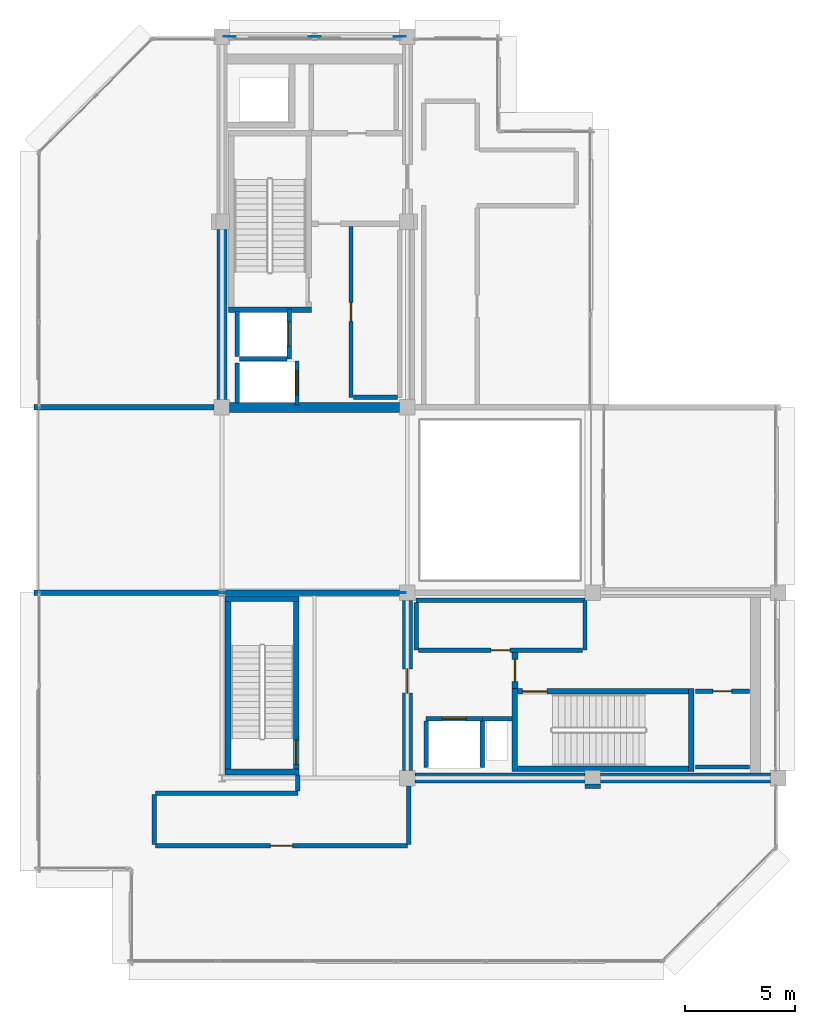
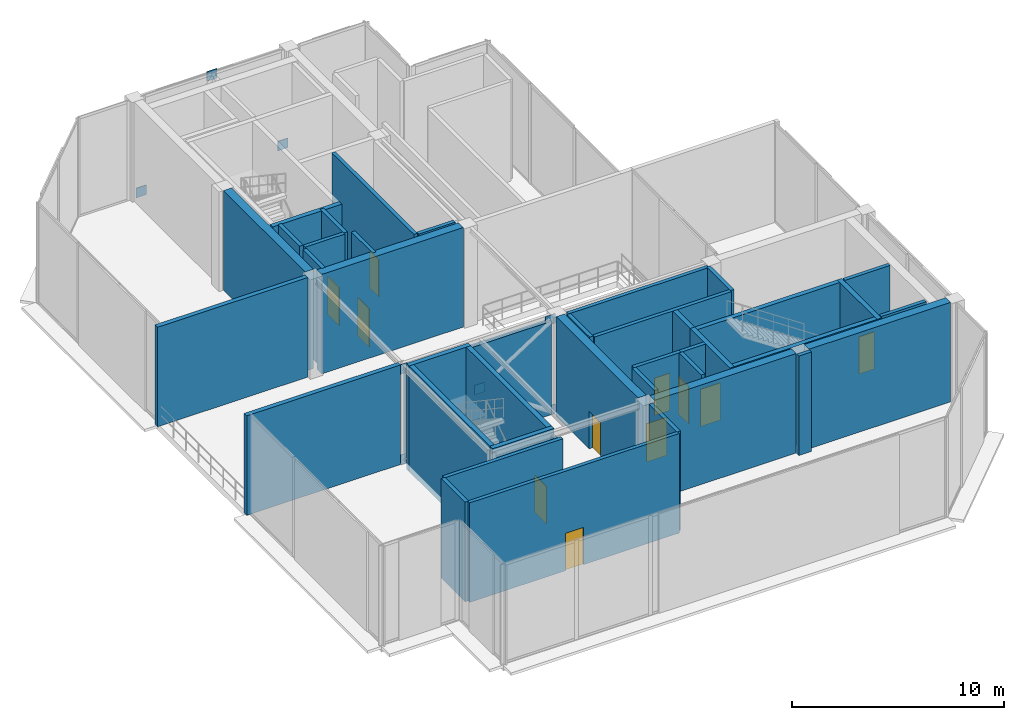
# One storey, part 15 of 19: 41 walls, 11 doors, 8 plates, 11 openings.
"""IFC4 building model written with IfcOpenShell, lengths in metres."""

from ifc_helpers import new_model, si_unit, direction, frame, frame_2d, origin, origin_2d, place, context, subcontext, project, spatial, rectangle, extrude, material, layer, layer_set, type_object, element, fill, save


model = new_model("IFC4")

# Units and contexts
model_context = context("Model", 3, precision=1e-05, world=origin(), true_north=direction((0.0, 1.0)))
body_context = subcontext(model_context, "Body", "Model", "MODEL_VIEW")
ifc_project = project(units=[si_unit("LENGTHUNIT", "METRE"), si_unit("AREAUNIT", "SQUARE_METRE"), si_unit("VOLUMEUNIT", "CUBIC_METRE"), si_unit("PLANEANGLEUNIT", "RADIAN"), si_unit("MASSUNIT", "GRAM", prefix="KILO")], contexts=[model_context])

# Site, building, storey
site_placement = place(None, origin())
site = spatial("IfcSite", under=ifc_project, at=site_placement, CompositionType="ELEMENT")
building_placement = place(site_placement, origin())
building = spatial("IfcBuilding", under=site, at=building_placement, Name="Nerrivon Quay Data Exchange", CompositionType="ELEMENT")
storey_placement = place(building_placement, frame((0.0, 0.0, 327.0)))
storey = spatial("IfcBuildingStorey", under=building, at=storey_placement, Name="L78", CompositionType="ELEMENT", Elevation=327.0)

# Plates
ifc_material_1 = material(Name="Steel Grade 350", Category="steel")
ifc_layer_1 = layer(ifc_material_1, 0.035888671875)
ifc_layer_set_1 = layer_set([ifc_layer_1], Name="Steel Grade 350")
plate_type = type_object("IfcPlateType", Name="PLT-PN01", PredefinedType="USERDEFINED", material=ifc_layer_set_1)
for number, where, z_axis, x_axis, name in (
    (1, (8.406005859375, 16.800048828125, -0.09521484375), (0.0, 0.0, 1.0), (1.0, 0.0, 0.0), "L78 node plate 94"),
    (2, (16.449951171875, 16.800048828125, 5.10107421875), (0.0, 0.0, 1.0), (1.0, 0.0, 0.0), "L78 node plate 95"),
    (3, (16.449951171875, 16.800048828125, -0.09521484375), (0.0, 0.0, 1.0), (1.0, 0.0, 0.0), "L78 node plate 96"),
    (4, (12.60009765625, 16.800048828125, 2.5029296875), (0.0, 0.0, 1.0), (1.0, 0.0, 0.0), "L78 node plate 97"),
    (5, (8.406005859375, 16.800048828125, 5.10107421875), (0.0, 0.0, 1.0), (1.0, 0.0, 0.0), "L78 node plate 98"),
    (6, (8.75, 42.0, -0.09521484375), (0.0, 0.0, 1.0), (1.0, 0.0, 0.0), "L78 node plate 99"),
    (7, (12.60009765625, 42.0, 5.2529296875), (0.0, 0.0, 1.0), (1.0, 0.0, 0.0), "L78 node plate 100"),
    (8, (16.449951171875, 42.0, -0.09521484375), (0.0, 0.0, 1.0), (1.0, 0.0, 0.0), "L78 node plate 101"),
):
    element("IfcPlate", number, at=place(storey_placement, frame(where, z_axis=z_axis, x_axis=x_axis)), inside=storey, type_object=plate_type, Name=name, ObjectType="GUSSET PLATE", PredefinedType="USERDEFINED", context=body_context, shape_type="SweptSolid", body=[
        extrude(rectangle(XDim=0.550048828125, YDim=0.035888671875, at=origin_2d()), origin(), (0.0, 0.0, 1.0), 0.550048828125),
    ])

# Walls
ifc_material_2 = material(Name="Architectural terracotta precast concrete N50 (50 MPa)", Category="masonry")
ifc_layer_2 = layer(ifc_material_2, 0.239990234375)
ifc_layer_set_2 = layer_set([ifc_layer_2], Name="Architectural terracotta precast concrete N50 (50 MPa)")
wall_type_1 = type_object("IfcWallType", Name="EW-PREC-240", PredefinedType="STANDARD", material=ifc_layer_set_2)
wall_1_placement = place(storey_placement, frame((-0.1201171875, 16.800048828125, 0.0), z_axis=(0.0, 0.0, 1.0), x_axis=(1.0, 0.0, 0.0)))
element("IfcWall", 9, at=wall_1_placement, inside=storey, type_object=wall_type_1, Name="L78 Wind Portal Flank Wall 9", PredefinedType="STANDARD", context=body_context, shape_type="SweptSolid", body=[
    extrude(rectangle(XDim=8.36669921875, YDim=0.239990234375, at=frame_2d((4.183349609375, 0.0))), origin(), (0.0, 0.0, 1.0), 5.72509765625),
])
wall_2_placement = place(storey_placement, frame((8.553466796875, 16.800048828125, 0.0), z_axis=(0.0, 0.0, 1.0), x_axis=(1.0, 0.0, 0.0)))
element("IfcWall", 10, at=wall_2_placement, inside=storey, type_object=wall_type_1, Name="L78 Wind Portal Flank Wall 10", PredefinedType="STANDARD", context=body_context, shape_type="SweptSolid", body=[
    extrude(rectangle(XDim=7.896484375, YDim=0.239990234375, at=frame_2d((3.9482421875, 0.0))), origin(), (0.0, 0.0, 1.0), 5.365966796875),
])
wall_3_placement = place(storey_placement, frame((8.050048828125, 25.199951171875, 0.0), z_axis=(0.0, 0.0, 1.0), x_axis=(-1.0, 0.0, 0.0)))
element("IfcWall", 11, at=wall_3_placement, inside=storey, type_object=wall_type_1, Name="L78 Wind Portal Flank Wall 23", PredefinedType="STANDARD", context=body_context, shape_type="SweptSolid", body=[
    extrude(rectangle(XDim=8.170166015625, YDim=0.239990234375, at=frame_2d((4.0849609375, 0.0))), origin(), (0.0, 0.0, 1.0), 5.72509765625),
])
ifc_material_3 = material(Name="Concrete N50 (50 MPa)", Category="concrete")
ifc_layer_3 = layer(ifc_material_3, 0.449951171875)
ifc_layer_set_3 = layer_set([ifc_layer_3], Name="Concrete N50 (50 MPa)")
wall_type_2 = type_object("IfcWallType", Name="WALL-CW-550", PredefinedType="SHEAR", material=ifc_layer_set_3)
for number, where, z_axis, x_axis, name in (
    (12, (8.39990234375, 25.550048828125, 0.0), (0.0, 0.0, 1.0), (0.0, 1.0, 0.0), "L78 West Split-Core Shear Wall WCW-W1"),
    (13, (8.75, 25.199951171875, 0.0), (0.0, 0.0, 1.0), (1.0, 0.0, 0.0), "L78 West Split-Core Shear Wall WCW-S1"),
):
    element("IfcWall", number, at=place(storey_placement, frame(where, z_axis=z_axis, x_axis=x_axis)), inside=storey, type_object=wall_type_2, Name=name, PredefinedType="SHEAR", context=body_context, shape_type="SweptSolid", body=[
        extrude(rectangle(XDim=7.699951171875, YDim=0.449951171875, at=frame_2d((3.85009765625, 0.0))), origin(), (0.0, 0.0, 1.0), 5.72509765625),
    ])
wall_4_placement = place(storey_placement, frame((17.14990234375, 8.39990234375, 0.0), z_axis=(0.0, 0.0, 1.0), x_axis=(1.0, 0.0, 0.0)))
element("IfcWall", 14, at=wall_4_placement, inside=storey, type_object=wall_type_2, Name="L78 East Split-Core Shear Wall ECW-S1", PredefinedType="SHEAR", context=body_context, shape_type="SweptSolid", body=[
    extrude(rectangle(XDim=7.7001953125, YDim=0.449951171875, at=frame_2d((3.85009765625, 0.0))), origin(), (0.0, 0.0, 1.0), 5.72509765625),
])
wall_5_placement = place(storey_placement, frame((25.550048828125, 8.39990234375, 0.0), z_axis=(0.0, 0.0, 1.0), x_axis=(1.0, 0.0, 0.0)))
element("IfcWall", 15, at=wall_5_placement, inside=storey, type_object=wall_type_2, Name="L78 East Split-Core Shear Wall ECW-S2", PredefinedType="SHEAR", context=body_context, shape_type="SweptSolid", body=[
    extrude(rectangle(XDim=7.699951171875, YDim=0.449951171875, at=frame_2d((3.85009765625, 0.0))), origin(), (0.0, 0.0, 1.0), 5.72509765625),
])

# Wall, opening, door
wall_6_placement = place(storey_placement, frame((16.800048828125, 8.75, 0.0), z_axis=(0.0, 0.0, 1.0), x_axis=(0.0, 1.0, 0.0)))
wall_6 = element("IfcWall", 16, at=wall_6_placement, inside=storey, type_object=wall_type_2, Name="L78 East Split-Core Shear Wall ECW-W1", PredefinedType="SHEAR", context=body_context, shape_type="SweptSolid", body=[
    extrude(rectangle(XDim=7.699951171875, YDim=0.449951171875, at=frame_2d((3.85009765625, 0.0))), origin(), (0.0, 0.0, 1.0), 5.72509765625),
])
opening_1_placement = place(wall_6_placement, frame((3.5, 0.0, 0.0)))
opening_1 = element("IfcOpeningElement", 17, at=opening_1_placement, cuts=wall_6, Name="Opening FD-120", PredefinedType="OPENING", context=body_context, shape_type="SweptSolid", body=[
    extrude(rectangle(XDim=1.10009765625, YDim=2.14990234375, at=frame_2d((0.550048828125, 1.074951171875))), frame((0.0, 0.23486328125, 0.0), z_axis=(0.0, -1.0, 0.0), x_axis=(1.0, 0.0, 0.0)), (0.0, 0.0, 1.0), 0.469970703125),
])
ifc_material_4 = material(Name="Powder-coated galvanized steel sheet", Category="steel")
door_type_1 = type_object("IfcDoorType", Name="DR-FD120-1100", OperationType="NOTDEFINED", PredefinedType="DOOR", material=ifc_material_4)
door_1_placement = place(opening_1_placement, origin())
door_1 = element("IfcDoor", 18, at=door_1_placement, inside=storey, type_object=door_type_1, Name="L78 East Core Lobby Fire Door", OperationType="SINGLE_SWING_RIGHT", OverallHeight=2.14990234375, OverallWidth=1.10009765625, PredefinedType="DOOR", context=body_context, shape_type="SweptSolid", body=[
    extrude(rectangle(XDim=1.10009765625, YDim=2.14990234375, at=frame_2d((0.550048828125, 1.074951171875))), frame((0.0, 0.02490234375, 0.0), z_axis=(0.0, -1.0, 0.0), x_axis=(1.0, 0.0, 0.0)), (0.0, 0.0, 1.0), 0.050048828125),
])
fill(opening_1, door_1)

# Wall
ifc_material_5 = material(Name="Gypsum plasterboard on cold-formed framing", Category="gypsum")
ifc_layer_4 = layer(ifc_material_5, 0.199951171875)
ifc_layer_set_4 = layer_set([ifc_layer_4], Name="Gypsum plasterboard on cold-formed framing")
wall_type_3 = type_object("IfcWallType", Name="WALL-FW-200", PredefinedType="PARTITIONING", material=ifc_layer_set_4)
wall_7_placement = place(storey_placement, frame((20.199951171875, 11.080078125, 0.0), z_axis=(0.0, 0.0, 1.0), x_axis=(1.0, 0.0, 0.0)))
element("IfcWall", 19, at=wall_7_placement, inside=storey, type_object=wall_type_3, Name="L78 East Core MEP Riser Shaft Wall N", PredefinedType="PARTITIONING", context=body_context, shape_type="SweptSolid", body=[
    extrude(rectangle(XDim=1.35009765625, YDim=0.199951171875, at=frame_2d((0.675048828125, 0.0))), origin(), (0.0, 0.0, 1.0), 5.72509765625),
])

# Wall, opening, door
wall_8_placement = place(storey_placement, frame((11.449951171875, 27.39990234375, 0.0), z_axis=(0.0, 0.0, 1.0), x_axis=(0.0, 1.0, 0.0)))
wall_8 = element("IfcWall", 20, at=wall_8_placement, inside=storey, type_object=wall_type_3, Name="L78 Lift Front Wall FFL-1", PredefinedType="PARTITIONING", context=body_context, shape_type="SweptSolid", body=[
    extrude(rectangle(XDim=2.25, YDim=0.199951171875, at=frame_2d((1.125, 0.0))), origin(), (0.0, 0.0, 1.0), 5.72509765625),
])
opening_2_placement = place(wall_8_placement, frame((0.574951171875, 0.0, 0.0)))
opening_2 = element("IfcOpeningElement", 21, at=opening_2_placement, cuts=wall_8, Name="Opening LD-120", PredefinedType="OPENING", context=body_context, shape_type="SweptSolid", body=[
    extrude(rectangle(XDim=1.10009765625, YDim=2.199951171875, at=frame_2d((0.550048828125, 1.10009765625))), frame((0.0, 0.10986328125, 0.0), z_axis=(0.0, -1.0, 0.0), x_axis=(1.0, 0.0, 0.0)), (0.0, 0.0, 1.0), 0.219970703125),
])
door_type_2 = type_object("IfcDoorType", Name="DR-LIFT-LD120", OperationType="DOUBLE_DOOR_SLIDING", PredefinedType="DOOR", material=ifc_material_4)
door_2_placement = place(opening_2_placement, origin())
door_2 = element("IfcDoor", 22, at=door_2_placement, inside=storey, type_object=door_type_2, Name="L78 Lift Landing Sliding Door FFL-1", OperationType="DOUBLE_DOOR_SLIDING", OverallHeight=2.199951171875, OverallWidth=1.10009765625, PredefinedType="DOOR", context=body_context, shape_type="SweptSolid", body=[
    extrude(rectangle(XDim=1.10009765625, YDim=2.199951171875, at=frame_2d((0.550048828125, 1.10009765625))), frame((0.0, 0.02490234375, 0.0), z_axis=(0.0, -1.0, 0.0), x_axis=(1.0, 0.0, 0.0)), (0.0, 0.0, 1.0), 0.050048828125),
])
fill(opening_2, door_2)

# Walls
wall_9_placement = place(storey_placement, frame((9.10009765625, 27.5, 0.0), z_axis=(0.0, 0.0, 1.0), x_axis=(0.0, 1.0, 0.0)))
element("IfcWall", 23, at=wall_9_placement, inside=storey, type_object=wall_type_3, Name="L78 Lift Shaft Wall FFL-1 WEST", PredefinedType="PARTITIONING", context=body_context, shape_type="SweptSolid", body=[
    extrude(rectangle(XDim=2.050048828125, YDim=0.199951171875, at=frame_2d((1.02490234375, 0.0))), origin(), (0.0, 0.0, 1.0), 5.72509765625),
])
wall_10_placement = place(storey_placement, frame((9.199951171875, 27.39990234375, 0.0), z_axis=(0.0, 0.0, 1.0), x_axis=(1.0, 0.0, 0.0)))
element("IfcWall", 24, at=wall_10_placement, inside=storey, type_object=wall_type_3, Name="L78 Lift Shaft Wall FFL-1 SOUTH", PredefinedType="PARTITIONING", context=body_context, shape_type="SweptSolid", body=[
    extrude(rectangle(XDim=2.150146484375, YDim=0.199951171875, at=frame_2d((1.0751953125, 0.0))), origin(), (0.0, 0.0, 1.0), 5.72509765625),
])

# Wall, opening, door
wall_11_placement = place(storey_placement, frame((11.800048828125, 25.300048828125, 0.0), z_axis=(0.0, 0.0, 1.0), x_axis=(0.0, 1.0, 0.0)))
wall_11 = element("IfcWall", 25, at=wall_11_placement, inside=storey, type_object=wall_type_3, Name="L78 Lift Front Wall SVL-1", PredefinedType="PARTITIONING", context=body_context, shape_type="SweptSolid", body=[
    extrude(rectangle(XDim=2.0, YDim=0.199951171875, at=frame_2d((1.0, 0.0))), origin(), (0.0, 0.0, 1.0), 5.72509765625),
])
opening_3_placement = place(wall_11_placement, frame((0.449951171875, 0.0, 0.0)))
opening_3 = element("IfcOpeningElement", 26, at=opening_3_placement, cuts=wall_11, Name="Opening LD-120", PredefinedType="OPENING", context=body_context, shape_type="SweptSolid", body=[
    extrude(rectangle(XDim=1.10009765625, YDim=2.199951171875, at=frame_2d((0.550048828125, 1.10009765625))), frame((0.0, 0.10986328125, 0.0), z_axis=(0.0, -1.0, 0.0), x_axis=(1.0, 0.0, 0.0)), (0.0, 0.0, 1.0), 0.219970703125),
])
door_3_placement = place(opening_3_placement, origin())
door_3 = element("IfcDoor", 27, at=door_3_placement, inside=storey, type_object=door_type_2, Name="L78 Lift Landing Sliding Door SVL-1", OperationType="DOUBLE_DOOR_SLIDING", OverallHeight=2.199951171875, OverallWidth=1.10009765625, PredefinedType="DOOR", context=body_context, shape_type="SweptSolid", body=[
    extrude(rectangle(XDim=1.10009765625, YDim=2.199951171875, at=frame_2d((0.550048828125, 1.10009765625))), frame((0.0, 0.02490234375, 0.0), z_axis=(0.0, -1.0, 0.0), x_axis=(1.0, 0.0, 0.0)), (0.0, 0.0, 1.0), 0.050048828125),
])
fill(opening_3, door_3)

# Wall
wall_12_placement = place(storey_placement, frame((9.10009765625, 25.39990234375, 0.0), z_axis=(0.0, 0.0, 1.0), x_axis=(0.0, 1.0, 0.0)))
element("IfcWall", 28, at=wall_12_placement, inside=storey, type_object=wall_type_3, Name="L78 Lift Shaft Wall SVL-1 WEST", PredefinedType="PARTITIONING", context=body_context, shape_type="SweptSolid", body=[
    extrude(rectangle(XDim=1.800048828125, YDim=0.199951171875, at=frame_2d((0.89990234375, 0.0))), origin(), (0.0, 0.0, 1.0), 5.72509765625),
])

# Wall, opening, door
wall_13_placement = place(storey_placement, frame((17.64990234375, 11.080078125, 0.0), z_axis=(0.0, 0.0, 1.0), x_axis=(1.0, 0.0, 0.0)))
wall_13 = element("IfcWall", 29, at=wall_13_placement, inside=storey, type_object=wall_type_3, Name="L78 Lift Front Wall FFL-2", PredefinedType="PARTITIONING", context=body_context, shape_type="SweptSolid", body=[
    extrude(rectangle(XDim=2.550048828125, YDim=0.199951171875, at=frame_2d((1.27490234375, 0.0))), origin(), (0.0, 0.0, 1.0), 5.72509765625),
])
opening_4_placement = place(wall_13_placement, frame((0.72509765625, 0.0, 0.0)))
opening_4 = element("IfcOpeningElement", 30, at=opening_4_placement, cuts=wall_13, Name="Opening LD-120", PredefinedType="OPENING", context=body_context, shape_type="SweptSolid", body=[
    extrude(rectangle(XDim=1.10009765625, YDim=2.199951171875, at=frame_2d((0.550048828125, 1.10009765625))), frame((0.0, 0.10986328125, 0.0), z_axis=(0.0, -1.0, 0.0), x_axis=(1.0, 0.0, 0.0)), (0.0, 0.0, 1.0), 0.219970703125),
])
door_4_placement = place(opening_4_placement, origin())
door_4 = element("IfcDoor", 31, at=door_4_placement, inside=storey, type_object=door_type_2, Name="L78 Lift Landing Sliding Door FFL-2", OperationType="DOUBLE_DOOR_SLIDING", OverallHeight=2.199951171875, OverallWidth=1.10009765625, PredefinedType="DOOR", context=body_context, shape_type="SweptSolid", body=[
    extrude(rectangle(XDim=1.10009765625, YDim=2.199951171875, at=frame_2d((0.550048828125, 1.10009765625))), frame((0.0, 0.02490234375, 0.0), z_axis=(0.0, -1.0, 0.0), x_axis=(1.0, 0.0, 0.0)), (0.0, 0.0, 1.0), 0.050048828125),
])
fill(opening_4, door_4)

# Walls
for number, where, z_axis, x_axis, name in (
    (32, (20.199951171875, 8.8798828125, 0.0), (0.0, 0.0, 1.0), (0.0, 1.0, 0.0), "L78 Lift Shaft Wall FFL-2 EAST"),
    (33, (17.64990234375, 8.8798828125, 0.0), (0.0, 0.0, 1.0), (0.0, 1.0, 0.0), "L78 Lift Shaft Wall FFL-2 WEST"),
):
    element("IfcWall", number, at=place(storey_placement, frame(where, z_axis=z_axis, x_axis=x_axis)), inside=storey, type_object=wall_type_3, Name=name, PredefinedType="PARTITIONING", context=body_context, shape_type="SweptSolid", body=[
        extrude(rectangle(XDim=2.10009765625, YDim=0.199951171875, at=frame_2d((1.050048828125, 0.0))), origin(), (0.0, 0.0, 1.0), 5.72509765625),
    ])

# Wall, opening, door
wall_14_placement = place(storey_placement, frame((14.25, 33.389892578125, 0.0), z_axis=(0.0, 0.0, 1.0), x_axis=(0.0, -1.0, 0.0)))
wall_14 = element("IfcWall", 34, at=wall_14_placement, inside=storey, type_object=wall_type_3, Name="L78 Partition Telemetry Hub Closet", PredefinedType="PARTITIONING", context=body_context, shape_type="SweptSolid", body=[
    extrude(rectangle(XDim=7.739990234375, YDim=0.199951171875, at=frame_2d((3.8701171875, 0.0))), origin(), (0.0, 0.0, 1.0), 5.72509765625),
])
opening_5_placement = place(wall_14_placement, frame((3.445068359375, 0.0, 0.0)))
opening_5 = element("IfcOpeningElement", 35, at=opening_5_placement, cuts=wall_14, Name="Opening FD-60S", PredefinedType="OPENING", context=body_context, shape_type="SweptSolid", body=[
    extrude(rectangle(XDim=0.85009765625, YDim=2.14990234375, at=frame_2d((0.425048828125, 1.074951171875))), frame((0.0, 0.10986328125, 0.0), z_axis=(0.0, -1.0, 0.0), x_axis=(1.0, 0.0, 0.0)), (0.0, 0.0, 1.0), 0.219970703125),
])
ifc_material_6 = material(Name="Engineered hardwood timber", Category="wood")
door_type_3 = type_object("IfcDoorType", Name="DR-FD60-850", OperationType="NOTDEFINED", PredefinedType="DOOR", material=ifc_material_6)
door_5_placement = place(opening_5_placement, origin())
door_5 = element("IfcDoor", 36, at=door_5_placement, inside=storey, type_object=door_type_3, Name="L78 Door Telemetry Hub Closet", OperationType="SINGLE_SWING_RIGHT", OverallHeight=2.14990234375, OverallWidth=0.85009765625, PredefinedType="DOOR", context=body_context, shape_type="SweptSolid", body=[
    extrude(rectangle(XDim=0.85009765625, YDim=2.14990234375, at=frame_2d((0.425048828125, 1.074951171875))), frame((0.0, 0.02490234375, 0.0), z_axis=(0.0, -1.0, 0.0), x_axis=(1.0, 0.0, 0.0)), (0.0, 0.0, 1.0), 0.050048828125),
])
fill(opening_5, door_5)

# Walls
wall_15_placement = place(storey_placement, frame((14.35400390625, 25.64990234375, 0.0), z_axis=(0.0, 0.0, 1.0), x_axis=(1.0, 0.0, 0.0)))
element("IfcWall", 37, at=wall_15_placement, inside=storey, type_object=wall_type_3, Name="L78 Partition Telemetry Hub Closet", PredefinedType="PARTITIONING", context=body_context, shape_type="SweptSolid", body=[
    extrude(rectangle(XDim=1.991943359375, YDim=0.199951171875, at=frame_2d((0.99609375, 0.0))), origin(), (0.0, 0.0, 1.0), 5.72509765625),
])
wall_16_placement = place(storey_placement, frame((24.85009765625, 14.199951171875, 0.0), z_axis=(0.0, 0.0, 1.0), x_axis=(0.0, 1.0, 0.0)))
element("IfcWall", 38, at=wall_16_placement, inside=storey, type_object=wall_type_3, Name="L78 Partition High-Zone Telemetry Equipment Store", PredefinedType="PARTITIONING", context=body_context, shape_type="SweptSolid", body=[
    extrude(rectangle(XDim=2.2451171875, YDim=0.199951171875, at=frame_2d((1.12255859375, 0.0))), origin(), (0.0, 0.0, 1.0), 5.72509765625),
])
wall_17_placement = place(storey_placement, frame((24.844970703125, 16.449951171875, 0.0), z_axis=(0.0, 0.0, 1.0), x_axis=(-1.0, 0.0, 0.0)))
element("IfcWall", 39, at=wall_17_placement, inside=storey, type_object=wall_type_3, Name="L78 Partition High-Zone Telemetry Equipment Store", PredefinedType="PARTITIONING", context=body_context, shape_type="SweptSolid", body=[
    extrude(rectangle(XDim=7.64501953125, YDim=0.199951171875, at=frame_2d((3.822509765625, 0.0))), origin(), (0.0, 0.0, 1.0), 5.72509765625),
])
wall_18_placement = place(storey_placement, frame((17.199951171875, 16.345947265625, 0.0), z_axis=(0.0, 0.0, 1.0), x_axis=(0.0, -1.0, 0.0)))
element("IfcWall", 40, at=wall_18_placement, inside=storey, type_object=wall_type_3, Name="L78 Partition High-Zone Telemetry Equipment Store", PredefinedType="PARTITIONING", context=body_context, shape_type="SweptSolid", body=[
    extrude(rectangle(XDim=2.14599609375, YDim=0.199951171875, at=frame_2d((1.072998046875, 0.0))), origin(), (0.0, 0.0, 1.0), 5.72509765625),
])

# Wall, opening, door
wall_19_placement = place(storey_placement, frame((17.303955078125, 14.199951171875, 0.0), z_axis=(0.0, 0.0, 1.0), x_axis=(1.0, 0.0, 0.0)))
wall_19 = element("IfcWall", 41, at=wall_19_placement, inside=storey, type_object=wall_type_3, Name="L78 Partition High-Zone Telemetry Equipment Store", PredefinedType="PARTITIONING", context=body_context, shape_type="SweptSolid", body=[
    extrude(rectangle(XDim=7.442138671875, YDim=0.199951171875, at=frame_2d((3.72119140625, 0.0))), origin(), (0.0, 0.0, 1.0), 5.72509765625),
])
opening_6_placement = place(wall_19_placement, frame((3.2958984375, 0.0, 0.0)))
opening_6 = element("IfcOpeningElement", 42, at=opening_6_placement, cuts=wall_19, Name="Opening FD-60S", PredefinedType="OPENING", context=body_context, shape_type="SweptSolid", body=[
    extrude(rectangle(XDim=0.85009765625, YDim=2.14990234375, at=frame_2d((0.425048828125, 1.074951171875))), frame((0.0, 0.10986328125, 0.0), z_axis=(0.0, -1.0, 0.0), x_axis=(1.0, 0.0, 0.0)), (0.0, 0.0, 1.0), 0.219970703125),
])
door_6_placement = place(opening_6_placement, origin())
door_6 = element("IfcDoor", 43, at=door_6_placement, inside=storey, type_object=door_type_3, Name="L78 Door High-Zone Telemetry Equipment Store", OperationType="SINGLE_SWING_RIGHT", OverallHeight=2.14990234375, OverallWidth=0.85009765625, PredefinedType="DOOR", context=body_context, shape_type="SweptSolid", body=[
    extrude(rectangle(XDim=0.85009765625, YDim=2.14990234375, at=frame_2d((0.425048828125, 1.074951171875))), frame((0.0, 0.02490234375, 0.0), z_axis=(0.0, -1.0, 0.0), x_axis=(1.0, 0.0, 0.0)), (0.0, 0.0, 1.0), 0.050048828125),
])
fill(opening_6, door_6)

wall_20_placement = place(storey_placement, frame((32.300048828125, 12.330078125, 0.0), z_axis=(0.0, 0.0, 1.0), x_axis=(-1.0, 0.0, 0.0)))
wall_20 = element("IfcWall", 44, at=wall_20_placement, inside=storey, type_object=wall_type_3, Name="L78 Partition East Telecom Closet", PredefinedType="PARTITIONING", context=body_context, shape_type="SweptSolid", body=[
    extrude(rectangle(XDim=2.449951171875, YDim=0.199951171875, at=frame_2d((1.22509765625, 0.0))), origin(), (0.0, 0.0, 1.0), 5.72509765625),
])
opening_7_placement = place(wall_20_placement, frame((0.800048828125, 0.0, 0.0)))
opening_7 = element("IfcOpeningElement", 45, at=opening_7_placement, cuts=wall_20, Name="Opening FD-60S", PredefinedType="OPENING", context=body_context, shape_type="SweptSolid", body=[
    extrude(rectangle(XDim=0.85009765625, YDim=2.14990234375, at=frame_2d((0.425048828125, 1.074951171875))), frame((0.0, 0.10986328125, 0.0), z_axis=(0.0, -1.0, 0.0), x_axis=(1.0, 0.0, 0.0)), (0.0, 0.0, 1.0), 0.219970703125),
])
door_7_placement = place(opening_7_placement, origin())
door_7 = element("IfcDoor", 46, at=door_7_placement, inside=storey, type_object=door_type_3, Name="L78 Door East Telecom Closet", OperationType="SINGLE_SWING_LEFT", OverallHeight=2.14990234375, OverallWidth=0.85009765625, PredefinedType="DOOR", context=body_context, shape_type="SweptSolid", body=[
    extrude(rectangle(XDim=0.85009765625, YDim=2.14990234375, at=frame_2d((0.425048828125, 1.074951171875))), frame((0.0, 0.02490234375, 0.0), z_axis=(0.0, -1.0, 0.0), x_axis=(1.0, 0.0, 0.0)), (0.0, 0.0, 1.0), 0.050048828125),
])
fill(opening_7, door_7)

# Walls
wall_21_placement = place(storey_placement, frame((29.85009765625, 8.89990234375, 0.0), z_axis=(0.0, 0.0, 1.0), x_axis=(1.0, 0.0, 0.0)))
element("IfcWall", 47, at=wall_21_placement, inside=storey, type_object=wall_type_3, Name="L78 Partition East Telecom Closet", PredefinedType="PARTITIONING", context=body_context, shape_type="SweptSolid", body=[
    extrude(rectangle(XDim=2.449951171875, YDim=0.199951171875, at=frame_2d((1.22509765625, 0.0))), origin(), (0.0, 0.0, 1.0), 5.72509765625),
])
wall_22_placement = place(storey_placement, frame((25.553955078125, 8.030517578125, 0.0), z_axis=(0.0, 0.0, 1.0), x_axis=(-0.999999759375, -0.000693721651, 0.0)))
element("IfcWall", 48, at=wall_22_placement, inside=storey, type_object=wall_type_3, Name="L78 Partition Crown Wind Portal Ventilation Fan Room", PredefinedType="PARTITIONING", context=body_context, shape_type="SweptSolid", body=[
    extrude(rectangle(XDim=0.703857421875, YDim=0.199951171875, at=frame_2d((0.35205078125, 0.0))), origin(), (0.0, 0.0, 1.0), 5.72509765625),
])
wall_23_placement = place(storey_placement, frame((16.860107421875, 8.030029296875, 0.0), z_axis=(0.0, 0.0, 1.0), x_axis=(0.0, -1.0, 0.0)))
element("IfcWall", 49, at=wall_23_placement, inside=storey, type_object=wall_type_3, Name="L78 Partition Crown Wind Portal Ventilation Fan Room", PredefinedType="PARTITIONING", context=body_context, shape_type="SweptSolid", body=[
    extrude(rectangle(XDim=2.630126953125, YDim=0.199951171875, at=frame_2d((1.31494140625, 0.0))), origin(), (0.0, 0.0, 1.0), 5.72509765625),
])

# Wall, opening, door
wall_24_placement = place(storey_placement, frame((16.800048828125, 5.340087890625, 0.0), z_axis=(0.0, 0.0, 1.0), x_axis=(-1.0, 0.0, 0.0)))
wall_24 = element("IfcWall", 50, at=wall_24_placement, inside=storey, type_object=wall_type_3, Name="L78 Partition Crown Wind Portal Ventilation Fan Room", PredefinedType="PARTITIONING", context=body_context, shape_type="SweptSolid", body=[
    extrude(rectangle(XDim=11.400146484375, YDim=0.199951171875, at=frame_2d((5.7001953125, 0.0))), origin(), (0.0, 0.0, 1.0), 5.72509765625),
])
opening_8_placement = place(wall_24_placement, frame((5.199951171875, 0.0, 0.0)))
opening_8 = element("IfcOpeningElement", 51, at=opening_8_placement, cuts=wall_24, Name="Opening FD-60", PredefinedType="OPENING", context=body_context, shape_type="SweptSolid", body=[
    extrude(rectangle(XDim=1.0, YDim=2.14990234375, at=frame_2d((0.5, 1.074951171875))), frame((0.0, 0.10986328125, 0.0), z_axis=(0.0, -1.0, 0.0), x_axis=(1.0, 0.0, 0.0)), (0.0, 0.0, 1.0), 0.219970703125),
])
door_type_4 = type_object("IfcDoorType", Name="DR-FD60-1000", OperationType="NOTDEFINED", PredefinedType="DOOR", material=ifc_material_6)
door_8_placement = place(opening_8_placement, origin())
door_8 = element("IfcDoor", 52, at=door_8_placement, inside=storey, type_object=door_type_4, Name="L78 Door Crown Wind Portal Ventilation Fan Room", OperationType="SINGLE_SWING_RIGHT", OverallHeight=2.14990234375, OverallWidth=1.0, PredefinedType="DOOR", context=body_context, shape_type="SweptSolid", body=[
    extrude(rectangle(XDim=1.0, YDim=2.14990234375, at=frame_2d((0.5, 1.074951171875))), frame((0.0, 0.02490234375, 0.0), z_axis=(0.0, -1.0, 0.0), x_axis=(1.0, 0.0, 0.0)), (0.0, 0.0, 1.0), 0.050048828125),
])
fill(opening_8, door_8)

# Walls
wall_25_placement = place(storey_placement, frame((5.34033203125, 5.39404296875, 0.0), z_axis=(0.0, 0.0, 1.0), x_axis=(-0.000108225108, 0.999999994144, 0.0)))
element("IfcWall", 53, at=wall_25_placement, inside=storey, type_object=wall_type_3, Name="L78 Partition Crown Wind Portal Ventilation Fan Room", PredefinedType="PARTITIONING", context=body_context, shape_type="SweptSolid", body=[
    extrude(rectangle(XDim=2.255859375, YDim=0.199951171875, at=frame_2d((1.1279296875, 0.0))), origin(), (0.0, 0.0, 1.0), 5.72509765625),
])
wall_26_placement = place(storey_placement, frame((5.39990234375, 7.7099609375, 0.0), z_axis=(0.0, 0.0, 1.0), x_axis=(1.0, 0.0, 0.0)))
element("IfcWall", 54, at=wall_26_placement, inside=storey, type_object=wall_type_3, Name="L78 Partition Crown Wind Portal Ventilation Fan Room", PredefinedType="PARTITIONING", context=body_context, shape_type="SweptSolid", body=[
    extrude(rectangle(XDim=6.440185546875, YDim=0.199951171875, at=frame_2d((3.22021484375, 0.0))), origin(), (0.0, 0.0, 1.0), 5.72509765625),
])
wall_27_placement = place(storey_placement, frame((11.840087890625, 7.81396484375, 0.0), z_axis=(0.0, 0.0, 1.0), x_axis=(0.0, 1.0, 0.0)))
element("IfcWall", 55, at=wall_27_placement, inside=storey, type_object=wall_type_3, Name="L78 Partition Crown Wind Portal Ventilation Fan Room", PredefinedType="PARTITIONING", context=body_context, shape_type="SweptSolid", body=[
    extrude(rectangle(XDim=0.73193359375, YDim=0.199951171875, at=frame_2d((0.365966796875, 0.0))), origin(), (0.0, 0.0, 1.0), 5.365966796875),
])
ifc_layer_5 = layer(ifc_material_3, 0.25)
ifc_layer_set_5 = layer_set([ifc_layer_5], Name="Concrete N50 (50 MPa)")
wall_type_4 = type_object("IfcWallType", Name="WALL-SW-250", PredefinedType="SHEAR", material=ifc_layer_set_5)
for number, where, z_axis, x_axis, name in (
    (56, (12.449951171875, 29.625, 0.0), (0.0, 0.0, 1.0), (-1.0, 0.0, 0.0), "L78 ST01 Structural Stair Core Wall NEAR"),
    (57, (21.675048828125, 8.699951171875, 0.0), (0.0, 0.0, 1.0), (0.0, 1.0, 0.0), "L78 ST02 Structural Stair Core Wall NEAR"),
    (58, (29.675048828125, 8.699951171875, 0.0), (0.0, 0.0, 1.0), (0.0, 1.0, 0.0), "L78 ST02 Structural Stair Core Wall FAR"),
):
    element("IfcWall", number, at=place(storey_placement, frame(where, z_axis=z_axis, x_axis=x_axis)), inside=storey, type_object=wall_type_4, Name=name, PredefinedType="SHEAR", context=body_context, shape_type="SweptSolid", body=[
        extrude(rectangle(XDim=3.75, YDim=0.25, at=frame_2d((1.875, 0.0))), origin(), (0.0, 0.0, 1.0), 5.72509765625),
    ])
wall_28_placement = place(storey_placement, frame((21.800048828125, 8.824951171875, 0.0), z_axis=(0.0, 0.0, 1.0), x_axis=(1.0, 0.0, 0.0)))
element("IfcWall", 59, at=wall_28_placement, inside=storey, type_object=wall_type_4, Name="L78 ST02 Structural Stair Core Wall LEFT", PredefinedType="SHEAR", context=body_context, shape_type="SweptSolid", body=[
    extrude(rectangle(XDim=7.75, YDim=0.25, at=frame_2d((3.875, 0.0))), origin(), (0.0, 0.0, 1.0), 5.72509765625),
])

# Wall, opening, door
wall_29_placement = place(storey_placement, frame((21.800048828125, 12.324951171875, 0.0), z_axis=(0.0, 0.0, 1.0), x_axis=(1.0, 0.0, 0.0)))
wall_29 = element("IfcWall", 60, at=wall_29_placement, inside=storey, type_object=wall_type_4, Name="L78 ST02 Structural Stair Core Wall RIGHT", PredefinedType="SHEAR", context=body_context, shape_type="SweptSolid", body=[
    extrude(rectangle(XDim=7.75, YDim=0.25, at=frame_2d((3.875, 0.0))), origin(), (0.0, 0.0, 1.0), 5.72509765625),
])
opening_9_placement = place(wall_29_placement, frame((0.219970703125, 0.0, 0.0)))
opening_9 = element("IfcOpeningElement", 61, at=opening_9_placement, cuts=wall_29, Name="Opening FD-120", PredefinedType="OPENING", context=body_context, shape_type="SweptSolid", body=[
    extrude(rectangle(XDim=1.10009765625, YDim=2.14990234375, at=frame_2d((0.550048828125, 1.074951171875))), frame((0.0, 0.135009765625, 0.0), z_axis=(0.0, -1.0, 0.0), x_axis=(1.0, 0.0, 0.0)), (0.0, 0.0, 1.0), 0.27001953125),
])
door_9_placement = place(opening_9_placement, origin())
door_9 = element("IfcDoor", 62, at=door_9_placement, inside=storey, type_object=door_type_1, Name="L78 Protected Stair Door ST02", OperationType="SINGLE_SWING_RIGHT", OverallHeight=2.14990234375, OverallWidth=1.10009765625, PredefinedType="DOOR", context=body_context, shape_type="SweptSolid", body=[
    extrude(rectangle(XDim=1.10009765625, YDim=2.14990234375, at=frame_2d((0.550048828125, 1.074951171875))), frame((0.0, 0.02490234375, 0.0), z_axis=(0.0, -1.0, 0.0), x_axis=(1.0, 0.0, 0.0)), (0.0, 0.0, 1.0), 0.050048828125),
])
fill(opening_9, door_9)

# Walls
for number, where, z_axis, x_axis, name in (
    (63, (11.89990234375, 8.675048828125, -0.35009765625), (0.0, 0.0, 1.0), (-1.0, 0.0, 0.0), "L78 ST08 Structural Stair Core Wall NEAR"),
    (64, (11.89990234375, 16.52490234375, -0.35009765625), (0.0, 0.0, 1.0), (-1.0, 0.0, 0.0), "L78 ST08 Structural Stair Core Wall FAR"),
):
    element("IfcWall", number, at=place(storey_placement, frame(where, z_axis=z_axis, x_axis=x_axis)), inside=storey, type_object=wall_type_4, Name=name, PredefinedType="SHEAR", context=body_context, shape_type="SweptSolid", body=[
        extrude(rectangle(XDim=3.349853515625, YDim=0.25, at=frame_2d((1.6748046875, 0.0))), origin(), (0.0, 0.0, 1.0), 6.0751953125),
    ])

# Wall, opening, door
wall_30_placement = place(storey_placement, frame((11.77490234375, 8.800048828125, -0.35009765625), z_axis=(0.0, 0.0, 1.0), x_axis=(0.0, 1.0, 0.0)))
wall_30 = element("IfcWall", 65, at=wall_30_placement, inside=storey, type_object=wall_type_4, Name="L78 ST08 Structural Stair Core Wall LEFT", PredefinedType="SHEAR", context=body_context, shape_type="SweptSolid", body=[
    extrude(rectangle(XDim=7.599853515625, YDim=0.25, at=frame_2d((3.7998046875, 0.0))), origin(), (0.0, 0.0, 1.0), 6.0751953125),
])
opening_10_placement = place(wall_30_placement, frame((0.219970703125, 0.0, 0.35009765625)))
opening_10 = element("IfcOpeningElement", 66, at=opening_10_placement, cuts=wall_30, Name="Opening FD-120", PredefinedType="OPENING", context=body_context, shape_type="SweptSolid", body=[
    extrude(rectangle(XDim=1.10009765625, YDim=2.14990234375, at=frame_2d((0.550048828125, 1.074951171875))), frame((0.0, 0.135009765625, 0.0), z_axis=(0.0, -1.0, 0.0), x_axis=(1.0, 0.0, 0.0)), (0.0, 0.0, 1.0), 0.27001953125),
])
door_10_placement = place(opening_10_placement, origin())
door_10 = element("IfcDoor", 67, at=door_10_placement, inside=storey, type_object=door_type_1, Name="L78 Protected Stair Door ST08", OperationType="SINGLE_SWING_LEFT", OverallHeight=2.14990234375, OverallWidth=1.10009765625, PredefinedType="DOOR", context=body_context, shape_type="SweptSolid", body=[
    extrude(rectangle(XDim=1.10009765625, YDim=2.14990234375, at=frame_2d((0.550048828125, 1.074951171875))), frame((0.0, 0.02490234375, 0.0), z_axis=(0.0, -1.0, 0.0), x_axis=(1.0, 0.0, 0.0)), (0.0, 0.0, 1.0), 0.050048828125),
])
fill(opening_10, door_10)

# Wall
wall_31_placement = place(storey_placement, frame((8.675048828125, 8.800048828125, -0.35009765625), z_axis=(0.0, 0.0, 1.0), x_axis=(0.0, 1.0, 0.0)))
element("IfcWall", 68, at=wall_31_placement, inside=storey, type_object=wall_type_4, Name="L78 ST08 Structural Stair Core Wall RIGHT", PredefinedType="SHEAR", context=body_context, shape_type="SweptSolid", body=[
    extrude(rectangle(XDim=7.599853515625, YDim=0.25, at=frame_2d((3.7998046875, 0.0))), origin(), (0.0, 0.0, 1.0), 6.0751953125),
])

# Wall, opening, door
wall_32_placement = place(storey_placement, frame((21.679931640625, 12.449951171875, 0.0), z_axis=(0.0, 0.0, 1.0), x_axis=(0.0, 1.0, 0.0)))
wall_32 = element("IfcWall", 69, at=wall_32_placement, inside=storey, type_object=wall_type_4, Name="L78 East Firefighting Lobby Wall", PredefinedType="SHEAR", context=body_context, shape_type="SweptSolid", body=[
    extrude(rectangle(XDim=1.650146484375, YDim=0.25, at=frame_2d((0.8251953125, 0.0))), origin(), (0.0, 0.0, 1.0), 5.72509765625),
])
opening_11_placement = place(wall_32_placement, frame((0.324951171875, 0.0, 0.0)))
opening_11 = element("IfcOpeningElement", 70, at=opening_11_placement, cuts=wall_32, Name="Opening FD-60", PredefinedType="OPENING", context=body_context, shape_type="SweptSolid", body=[
    extrude(rectangle(XDim=1.0, YDim=2.14990234375, at=frame_2d((0.5, 1.074951171875))), frame((0.0, 0.135009765625, 0.0), z_axis=(0.0, -1.0, 0.0), x_axis=(1.0, 0.0, 0.0)), (0.0, 0.0, 1.0), 0.27001953125),
])
door_11_placement = place(opening_11_placement, origin())
door_11 = element("IfcDoor", 71, at=door_11_placement, inside=storey, type_object=door_type_4, Name="L78 East Firefighting Lobby Fire Door", OperationType="SINGLE_SWING_LEFT", OverallHeight=2.14990234375, OverallWidth=1.0, PredefinedType="DOOR", context=body_context, shape_type="SweptSolid", body=[
    extrude(rectangle(XDim=1.0, YDim=2.14990234375, at=frame_2d((0.5, 1.074951171875))), frame((0.0, 0.02490234375, 0.0), z_axis=(0.0, -1.0, 0.0), x_axis=(1.0, 0.0, 0.0)), (0.0, 0.0, 1.0), 0.050048828125),
])
fill(opening_11, door_11)

save(model, "model.ifc")
